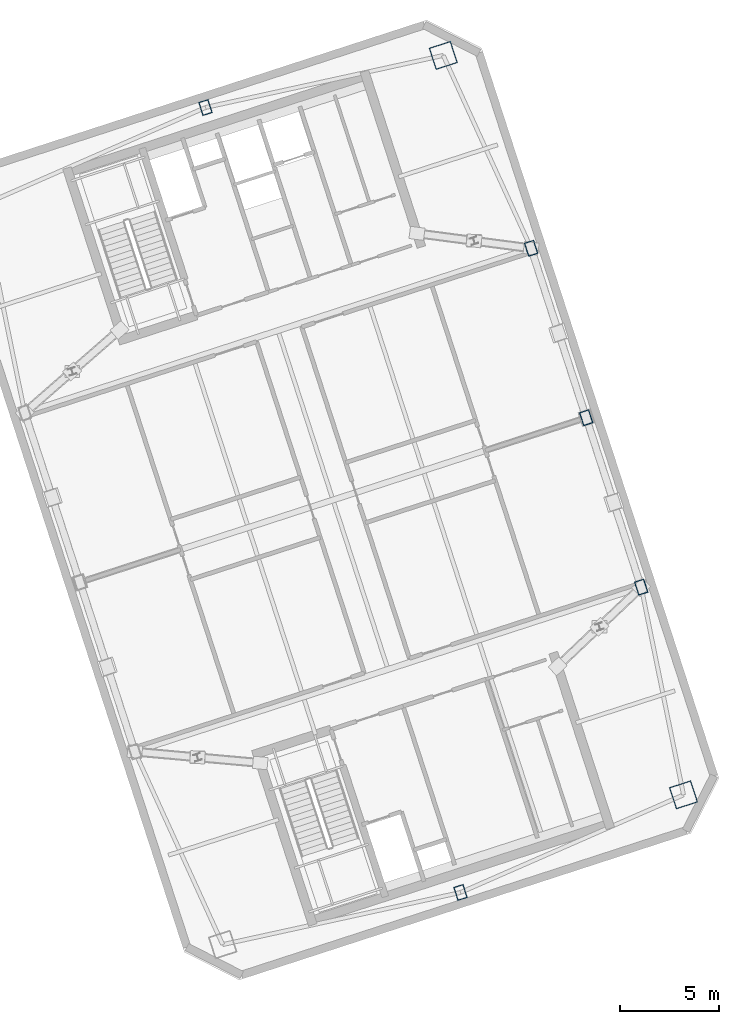
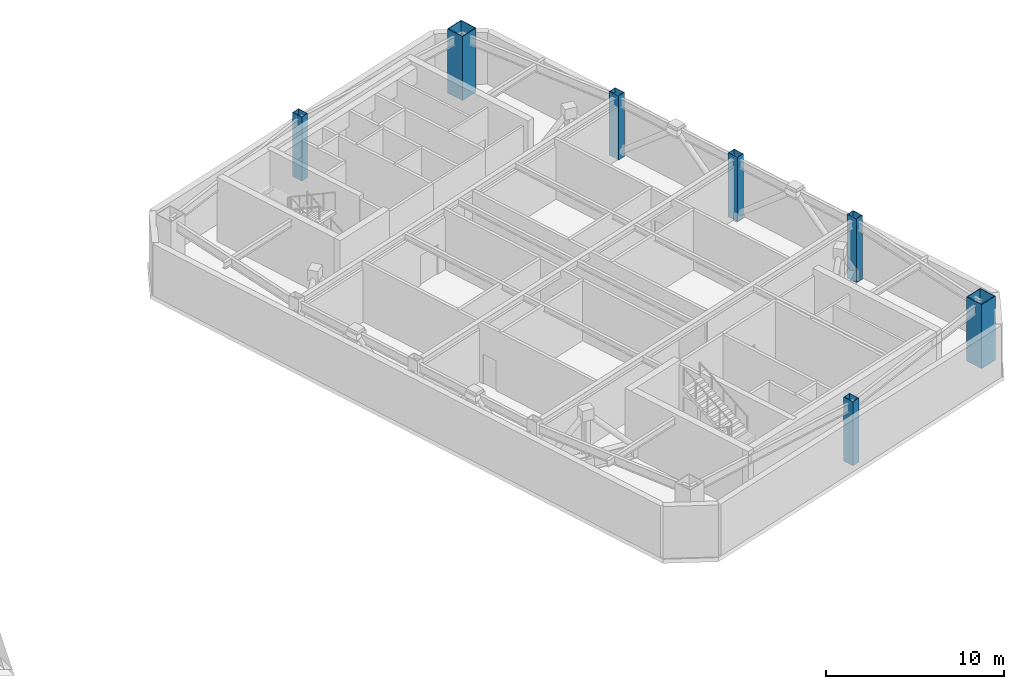
# One storey, part 2 of 17: 7 columns.
"""IFC4 building model written with IfcOpenShell, lengths in metres."""

from ifc_helpers import new_model, si_unit, direction, frame, origin, origin_2d, place, context, subcontext, project, spatial, hollow_rectangle, extrude, material, material_profile, profile_set, type_object, element, save


model = new_model("IFC4")

# Units and contexts
model_context = context("Model", 3, precision=1e-05, world=origin(), true_north=direction((0.0, 1.0)))
body_context = subcontext(model_context, "Body", "Model", "MODEL_VIEW")
ifc_project = project(units=[si_unit("LENGTHUNIT", "METRE"), si_unit("AREAUNIT", "SQUARE_METRE"), si_unit("VOLUMEUNIT", "CUBIC_METRE"), si_unit("PLANEANGLEUNIT", "RADIAN"), si_unit("MASSUNIT", "GRAM", prefix="KILO")], contexts=[model_context])

# Site, building, storey
site_placement = place(None, origin())
site = spatial("IfcSite", under=ifc_project, at=site_placement, CompositionType="ELEMENT")
building_placement = place(site_placement, origin())
building = spatial("IfcBuilding", under=site, at=building_placement, Name="Qiaolan Cultural Towers", CompositionType="ELEMENT")
storey_placement = place(building_placement, frame((0.0, 0.0, 230.0)))
storey = spatial("IfcBuildingStorey", under=building, at=storey_placement, Name="L62", CompositionType="ELEMENT", Elevation=230.0)

# Columns
ifc_material_1 = material(Name="Steel Q390GJB", Category="steel")
ifc_material_profile_1 = material_profile(ifc_material_1, hollow_rectangle(XDim=1.14990234375, YDim=1.14990234375, WallThickness=0.0400390625, at=origin_2d()), Name="BOX1150x1150x40")
ifc_profile_set_1 = profile_set([ifc_material_profile_1], Name="Steel Q390GJB")
column_type_1 = type_object("IfcColumnType", Name="COL-BOX1150x1150x40", PredefinedType="COLUMN", material=ifc_profile_set_1)
for number, where, z_axis, x_axis, name in (
    (1, (107.7099609375, 19.103515625, 0.0), (0.0, 0.0, 1.0), (0.951056516295, 0.309016994375, 0.0), "L62 T2 Perimeter Column MC-SE"),
    (2, (95.57177734375, 56.461181640625, 0.0), (0.0, 0.0, 1.0), (0.951056516295, 0.309016994375, 0.0), "L62 T2 Perimeter Column MC-NE"),
):
    element("IfcColumn", number, at=place(storey_placement, frame(where, z_axis=z_axis, x_axis=x_axis)), inside=storey, type_object=column_type_1, Name=name, PredefinedType="COLUMN", context=body_context, shape_type="SweptSolid", body=[
        extrude(hollow_rectangle(XDim=1.14990234375, YDim=1.14990234375, WallThickness=0.0400390625, at=origin_2d()), origin(), (0.0, 0.0, 1.0), 4.40087890625),
    ])
ifc_material_2 = material(Name="Steel Q355B", Category="steel")
ifc_material_profile_2 = material_profile(ifc_material_2, hollow_rectangle(XDim=0.5, YDim=0.699951171875, WallThickness=0.02490234375, at=origin_2d()), Name="BOX700x500x25")
ifc_profile_set_2 = profile_set([ifc_material_profile_2], Name="Steel Q355B")
column_type_2 = type_object("IfcColumnType", Name="COL-BOX700x500x25", PredefinedType="COLUMN", material=ifc_profile_set_2)
for number, where, z_axis, x_axis, name in (
    (3, (105.57275390625, 29.5966796875, 0.0), (0.0, 0.0, 1.0), (0.951056516295, 0.309016994375, 0.0), "L62 T2 Perimeter Column PC-E1"),
    (4, (102.791748046875, 38.15625, 0.0), (0.0, 0.0, 1.0), (0.951056516295, 0.309016994375, 0.0), "L62 T2 Perimeter Column PC-E2"),
    (5, (100.010498046875, 46.7158203125, 0.0), (0.0, 0.0, 1.0), (0.951056516295, 0.309016994375, 0.0), "L62 T2 Perimeter Column PC-E3"),
    (6, (96.443115234375, 14.17041015625, 0.0), (0.0, 0.0, 1.0), (0.951056516295, 0.309016994375, 0.0), "L62 T2 Perimeter Column PC-S0"),
    (7, (83.556884765625, 53.82958984375, 0.0), (0.0, 0.0, 1.0), (0.951056516295, 0.309016994375, 0.0), "L62 T2 Perimeter Column PC-N0"),
):
    element("IfcColumn", number, at=place(storey_placement, frame(where, z_axis=z_axis, x_axis=x_axis)), inside=storey, type_object=column_type_2, Name=name, PredefinedType="COLUMN", context=body_context, shape_type="SweptSolid", body=[
        extrude(hollow_rectangle(XDim=0.5, YDim=0.699951171875, WallThickness=0.02490234375, at=origin_2d()), origin(), (0.0, 0.0, 1.0), 4.40087890625),
    ])

save(model, "model.ifc")
